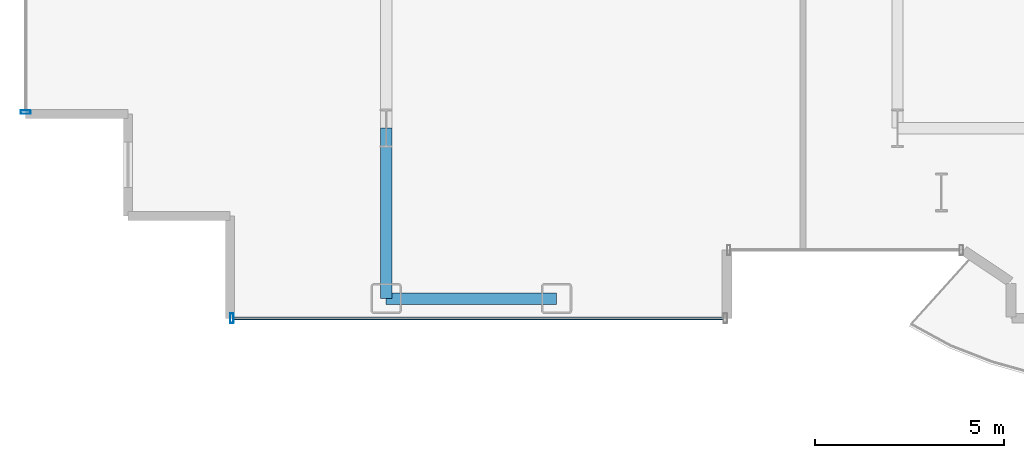
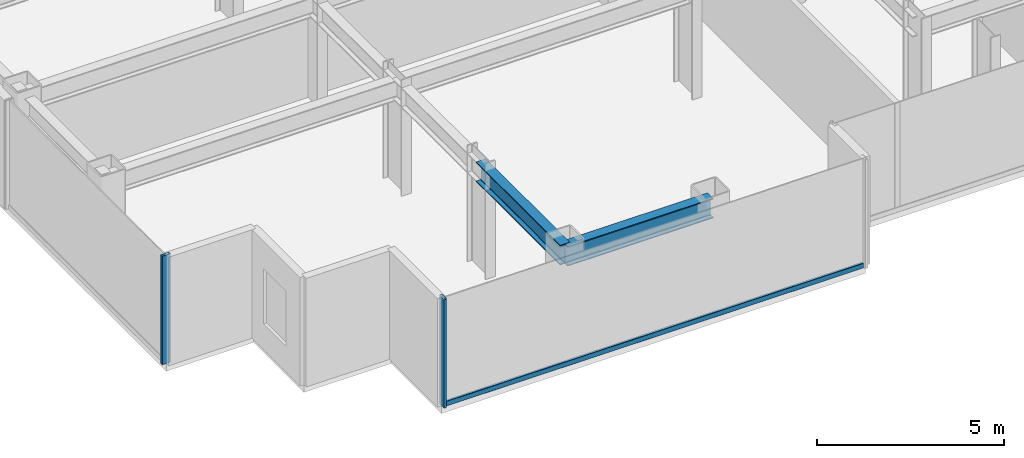
# One storey, part 2 of 29: 3 members, 2 beams, 2 elements without a shape of their own.
"""IFC4 building model written with IfcOpenShell, lengths in metres."""

from ifc_helpers import new_model, si_unit, direction, frame, origin, origin_2d, place, context, subcontext, project, spatial, hollow_rectangle, i_section, extrude, source, transform, mapped, material, layer, layer_set, material_profile, profile_set, type_object, element, aggregate, save


model = new_model("IFC4")

# Units and contexts
model_context = context("Model", 3, precision=1e-05, world=origin(), true_north=direction((0.0, 1.0)))
body_context = subcontext(model_context, "Body", "Model", "MODEL_VIEW")
ifc_project = project(units=[si_unit("LENGTHUNIT", "METRE"), si_unit("AREAUNIT", "SQUARE_METRE"), si_unit("VOLUMEUNIT", "CUBIC_METRE"), si_unit("PLANEANGLEUNIT", "RADIAN"), si_unit("MASSUNIT", "GRAM", prefix="KILO")], contexts=[model_context])

# Site, building, storey
site_placement = place(None, origin())
site = spatial("IfcSite", under=ifc_project, at=site_placement, CompositionType="ELEMENT")
building_placement = place(site_placement, origin())
building = spatial("IfcBuilding", under=site, at=building_placement, Name="Nefas-Gora Pilgrimage Tower", CompositionType="ELEMENT")
storey_placement = place(building_placement, frame((0.0, 0.0, 125.0)))
storey = spatial("IfcBuildingStorey", under=building, at=storey_placement, Name="L30", CompositionType="ELEMENT", Elevation=125.0)

# Beams
ifc_material_1 = material(Name="Steel S355", Category="steel")
ifc_material_profile_1 = material_profile(ifc_material_1, i_section(OverallWidth=0.300048828125, OverallDepth=0.64990234375, WebThickness=0.01611328125, FlangeThickness=0.031005859375, FilletRadius=0.027099609375, at=origin_2d()), Name="HEB 650")
ifc_profile_set_1 = profile_set([ifc_material_profile_1], Name="Steel S355")
beam_type_1 = type_object("IfcBeamType", Name="BM-SPN-HEB500", PredefinedType="SPANDREL", material=ifc_profile_set_1)
shared_shape_1 = source(origin(), body_context, "Body", "SweptSolid", [
    extrude(i_section(OverallWidth=0.300048828125, OverallDepth=0.64990234375, WebThickness=0.01611328125, FlangeThickness=0.031005859375, FilletRadius=0.027099609375, at=origin_2d()), origin(), (0.0, 0.0, 1.0), 4.5),
])
beam_1_placement = place(storey_placement, frame((-24.75, -22.5, 3.22509765625), z_axis=(1.0, 0.0, 0.0), x_axis=(0.0, 1.0, 0.0)))
element("IfcBeam", 1, at=beam_1_placement, inside=storey, type_object=beam_type_1, Name="L30 SP-02 beam", PredefinedType="SPANDREL", context=body_context, shape_type="MappedRepresentation", body=[
    mapped(shared_shape_1, transform((0.0, 0.0, 0.0), x_axis=(1.0, 0.0, 0.0), y_axis=(0.0, 1.0, 0.0), z_axis=(0.0, 0.0, 1.0), scale=1.0)),
])
ifc_material_profile_2 = material_profile(ifc_material_1, i_section(OverallWidth=0.300048828125, OverallDepth=0.64990234375, WebThickness=0.01611328125, FlangeThickness=0.031005859375, FilletRadius=0.027099609375, at=origin_2d()), Name="HEB 650")
ifc_profile_set_2 = profile_set([ifc_material_profile_2], Name="Steel S355")
beam_type_2 = type_object("IfcBeamType", Name="BM-GIR-HEB650", PredefinedType="BEAM", material=ifc_profile_set_2)
shared_shape_2 = source(origin(), body_context, "Body", "SweptSolid", [
    extrude(i_section(OverallWidth=0.300048828125, OverallDepth=0.64990234375, WebThickness=0.01611328125, FlangeThickness=0.031005859375, FilletRadius=0.027099609375, at=origin_2d()), origin(), (0.0, 0.0, 1.0), 4.5),
])
beam_2_placement = place(storey_placement, frame((-24.75, -22.5, 3.22509765625), z_axis=(0.0, 1.0, 0.0), x_axis=(-1.0, 0.0, 0.0)))
element("IfcBeam", 2, at=beam_2_placement, inside=storey, type_object=beam_type_2, Name="L30 G-03 beam", PredefinedType="BEAM", context=body_context, shape_type="MappedRepresentation", body=[
    mapped(shared_shape_2, transform((0.0, 0.0, 0.0), x_axis=(1.0, 0.0, 0.0), y_axis=(0.0, 1.0, 0.0), z_axis=(0.0, 0.0, 1.0), scale=1.0)),
])

# Curtain wall, member
ifc_material_2 = material(Name="Dark ceramic-fritted solar-control aluminium-glass curtain wall", Category="aluminium")
ifc_layer = layer(ifc_material_2, 0.219970703125)
ifc_layer_set = layer_set([ifc_layer], Name="Dark ceramic-fritted solar-control aluminium-glass curtain wall")
curtain_wall_type = type_object("IfcCurtainWallType", Name="CW-SYS-2", PredefinedType="NOTDEFINED", material=ifc_layer_set)
curtain_wall_1_placement = place(storey_placement, origin())
curtain_wall_1 = element("IfcCurtainWall", 3, at=curtain_wall_1_placement, inside=storey, type_object=curtain_wall_type, Name="L30 Unitised Curtain Wall CW2", PredefinedType="NOTDEFINED")
ifc_material_3 = material(Name="Anodised architectural aluminium", Category="aluminium")
ifc_material_profile_3 = material_profile(ifc_material_3, hollow_rectangle(XDim=0.090087890625, YDim=0.260009765625, WallThickness=0.006103515625, InnerFilletRadius=0.006103515625, OuterFilletRadius=0.011962890625, at=origin_2d()), Name="ALU MULLION 90x260")
ifc_profile_set_3 = profile_set([ifc_material_profile_3], Name="Anodised architectural aluminium")
member_type_1 = type_object("IfcMemberType", Name="CWM-MUL-2", PredefinedType="MULLION", material=ifc_profile_set_3)
shared_shape_3 = source(origin(), body_context, "Body", "SweptSolid", [
    extrude(hollow_rectangle(XDim=0.090087890625, YDim=0.260009765625, WallThickness=0.006103515625, InnerFilletRadius=0.006103515625, OuterFilletRadius=0.011962890625, at=origin_2d()), origin(), (0.0, 0.0, 1.0), 3.550048828125),
])
member_1_placement = place(storey_placement, frame((-34.27001953125, -17.574951171875, 0.0), z_axis=(0.0, 0.0, 1.0), x_axis=(0.0, -1.0, 0.0)))
member_1 = element("IfcMember", 4, at=member_1_placement, type_object=member_type_1, Name="CW2 Mullion 2", PredefinedType="MULLION", context=body_context, shape_type="MappedRepresentation", body=[
    mapped(shared_shape_3, transform((0.0, 0.0, 0.0), x_axis=(1.0, 0.0, 0.0), y_axis=(0.0, 1.0, 0.0), z_axis=(0.0, 0.0, 1.0), scale=1.0)),
])
aggregate(curtain_wall_1, [member_1])

# Curtain wall, members
curtain_wall_2_placement = place(storey_placement, origin())
curtain_wall_2 = element("IfcCurtainWall", 5, at=curtain_wall_2_placement, inside=storey, type_object=curtain_wall_type, Name="L30 Unitised Curtain Wall CW2", PredefinedType="NOTDEFINED")
member_2_placement = place(storey_placement, frame((-28.824951171875, -23.02001953125, 0.0), z_axis=(0.0, 0.0, 1.0), x_axis=(1.0, 0.0, 0.0)))
member_2 = element("IfcMember", 6, at=member_2_placement, type_object=member_type_1, Name="CW2 Mullion 1", PredefinedType="MULLION", context=body_context, shape_type="MappedRepresentation", body=[
    mapped(shared_shape_3, transform((0.0, 0.0, 0.0), x_axis=(1.0, 0.0, 0.0), y_axis=(0.0, 1.0, 0.0), z_axis=(0.0, 0.0, 1.0), scale=1.0)),
])
ifc_material_profile_4 = material_profile(ifc_material_3, hollow_rectangle(XDim=0.080078125, YDim=0.159912109375, WallThickness=0.00439453125, InnerFilletRadius=0.00439453125, OuterFilletRadius=0.009033203125, at=origin_2d()), Name="ALU TRANSOM 80x160")
ifc_profile_set_4 = profile_set([ifc_material_profile_4], Name="Anodised architectural aluminium")
member_type_2 = type_object("IfcMemberType", Name="CWM-TRN-2", PredefinedType="USERDEFINED", material=ifc_profile_set_4)
shared_shape_4 = source(origin(), body_context, "Body", "SweptSolid", [
    extrude(hollow_rectangle(XDim=0.080078125, YDim=0.159912109375, WallThickness=0.00439453125, InnerFilletRadius=0.00439453125, OuterFilletRadius=0.009033203125, at=origin_2d()), origin(), (0.0, 0.0, 1.0), 12.93994140625),
])
member_3_placement = place(storey_placement, frame((-28.780029296875, -23.02001953125, 0.050048828125), z_axis=(1.0, 0.0, 0.0), x_axis=(0.0, 1.0, 0.0)))
member_3 = element("IfcMember", 7, at=member_3_placement, type_object=member_type_2, Name="CW2 Spandrel Transom", ObjectType="TRANSOM", PredefinedType="USERDEFINED", context=body_context, shape_type="MappedRepresentation", body=[
    mapped(shared_shape_4, transform((0.0, 0.0, 0.0), x_axis=(1.0, 0.0, 0.0), y_axis=(0.0, 1.0, 0.0), z_axis=(0.0, 0.0, 1.0), scale=1.0)),
])
aggregate(curtain_wall_2, [member_2, member_3])

save(model, "model.ifc")
